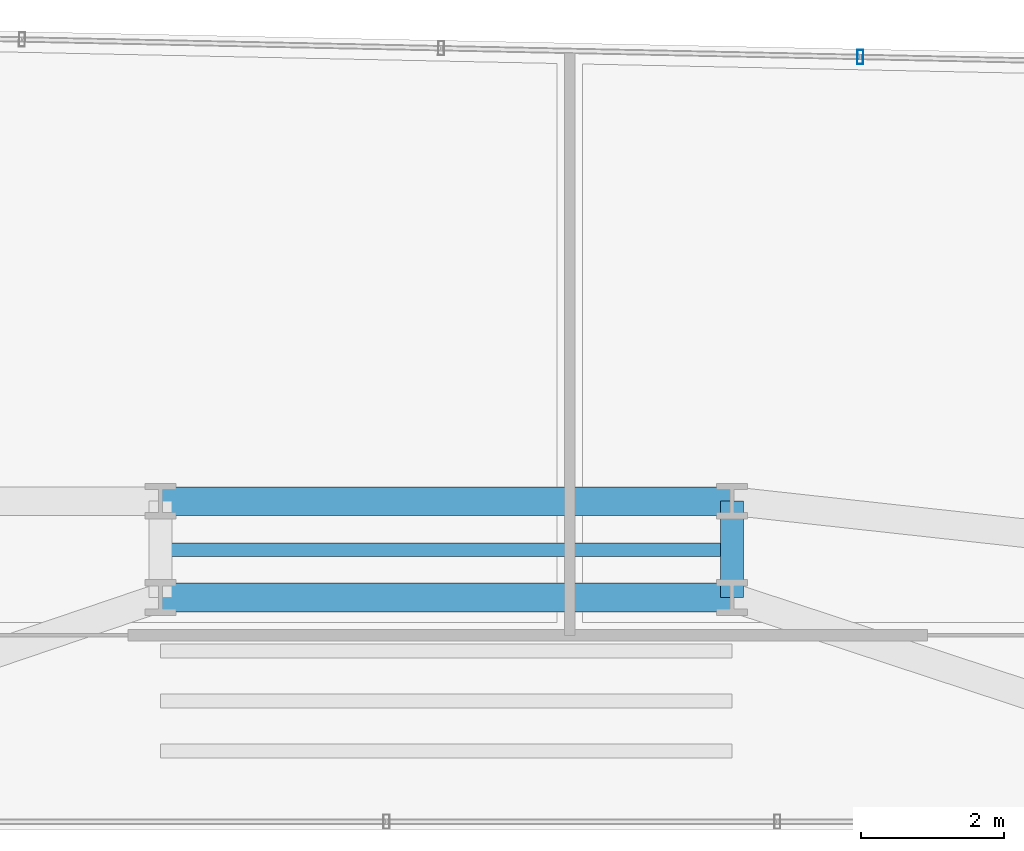
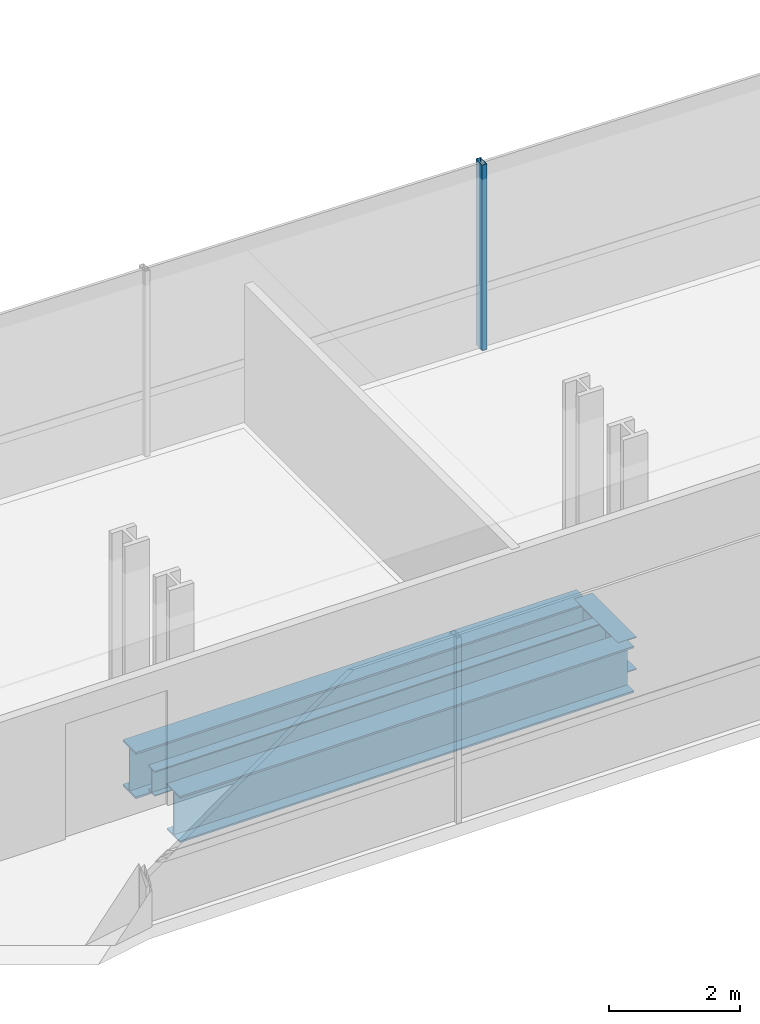
# One storey, part 22 of 40: 4 beams, 1 member, 1 element without a shape of its own.
"""IFC4 building model written with IfcOpenShell, lengths in metres."""

from ifc_helpers import new_model, si_unit, direction, frame, origin, origin_2d, place, context, subcontext, project, spatial, hollow_rectangle, i_section, extrude, source, transform, mapped, material, material_profile, profile_set, type_object, element, aggregate, save


model = new_model("IFC4")

# Units and contexts
model_context = context("Model", 3, precision=1e-05, world=origin(), true_north=direction((0.0, 1.0)))
body_context = subcontext(model_context, "Body", "Model", "MODEL_VIEW")
ifc_project = project(units=[si_unit("LENGTHUNIT", "METRE"), si_unit("AREAUNIT", "SQUARE_METRE"), si_unit("VOLUMEUNIT", "CUBIC_METRE"), si_unit("PLANEANGLEUNIT", "RADIAN"), si_unit("MASSUNIT", "GRAM", prefix="KILO")], contexts=[model_context])

# Site, building, storey
site_placement = place(None, origin())
site = spatial("IfcSite", under=ifc_project, at=site_placement, CompositionType="ELEMENT")
building_placement = place(site_placement, origin())
building = spatial("IfcBuilding", under=site, at=building_placement, Name="Valdorenza Pilgrim Sanctuary Tower", CompositionType="ELEMENT")
storey_placement = place(building_placement, frame((0.0, 0.0, 48.199951171875)))
storey = spatial("IfcBuildingStorey", under=building, at=storey_placement, Name="L11", CompositionType="ELEMENT", Elevation=48.199951171875)

# Beams
ifc_material_1 = material(Name="Steel ASTM A992 Grade 50", Category="steel")
ifc_material_profile_1 = material_profile(ifc_material_1, i_section(OverallWidth=0.39990234375, OverallDepth=0.862060546875, WebThickness=0.019775390625, FlangeThickness=0.032470703125, at=origin_2d()), Name="W33X221")
ifc_profile_set_1 = profile_set([ifc_material_profile_1], Name="Steel ASTM A992 Grade 50")
beam_type_1 = type_object("IfcBeamType", Name="STR-BM-GRD-W33", PredefinedType="BEAM", material=ifc_profile_set_1)
shared_shape_1 = source(origin(), body_context, "Body", "SweptSolid", [
    extrude(i_section(OverallWidth=0.39990234375, OverallDepth=0.862060546875, WebThickness=0.019775390625, FlangeThickness=0.032470703125, at=origin_2d()), origin(), (0.0, 0.0, 1.0), 8.0),
])
for number, where, z_axis, x_axis, name in (
    (1, (-4.0, 13.449951171875, -0.6708984375), (1.0, 0.0, 0.0), (0.0, 1.0, 0.0), "L11 Floor Girder KNK-G2"),
    (2, (-4.0, 14.800048828125, -0.6708984375), (1.0, 0.0, 0.0), (0.0, 1.0, 0.0), "L11 Floor Girder KNK-G5"),
):
    element("IfcBeam", number, at=place(storey_placement, frame(where, z_axis=z_axis, x_axis=x_axis)), inside=storey, type_object=beam_type_1, Name=name, PredefinedType="BEAM", context=body_context, shape_type="MappedRepresentation", body=[
        mapped(shared_shape_1, transform((0.0, 0.0, 0.0), x_axis=(1.0, 0.0, 0.0), y_axis=(0.0, 1.0, 0.0), z_axis=(0.0, 0.0, 1.0), scale=1.0)),
    ])
ifc_material_profile_2 = material_profile(ifc_material_1, i_section(OverallWidth=0.323974609375, OverallDepth=0.611083984375, WebThickness=0.0126953125, FlangeThickness=0.01904296875, at=origin_2d()), Name="W24X104")
ifc_profile_set_2 = profile_set([ifc_material_profile_2], Name="Steel ASTM A992 Grade 50")
beam_type_2 = type_object("IfcBeamType", Name="STR-BM-GRD-W24B", PredefinedType="BEAM", material=ifc_profile_set_2)
shared_shape_2 = source(origin(), body_context, "Body", "SweptSolid", [
    extrude(i_section(OverallWidth=0.323974609375, OverallDepth=0.611083984375, WebThickness=0.0126953125, FlangeThickness=0.01904296875, at=origin_2d()), origin(), (0.0, 0.0, 1.0), 1.35009765625),
])
beam_1_placement = place(storey_placement, frame((4.0, 13.449951171875, -0.54541015625), z_axis=(0.0, 1.0, 0.0), x_axis=(-1.0, 0.0, 0.0)))
element("IfcBeam", 3, at=beam_1_placement, inside=storey, type_object=beam_type_2, Name="L11 Floor Girder KNK-TIE-E", PredefinedType="BEAM", context=body_context, shape_type="MappedRepresentation", body=[
    mapped(shared_shape_2, transform((0.0, 0.0, 0.0), x_axis=(1.0, 0.0, 0.0), y_axis=(0.0, 1.0, 0.0), z_axis=(0.0, 0.0, 1.0), scale=1.0)),
])
ifc_material_profile_3 = material_profile(ifc_material_1, i_section(OverallWidth=0.193115234375, OverallDepth=0.466064453125, WebThickness=0.011474609375, FlangeThickness=0.01904296875, at=origin_2d()), Name="W18X65")
ifc_profile_set_3 = profile_set([ifc_material_profile_3], Name="Steel ASTM A992 Grade 50")
beam_type_3 = type_object("IfcBeamType", Name="STR-BM-JST-W18A", PredefinedType="JOIST", material=ifc_profile_set_3)
shared_shape_3 = source(origin(), body_context, "Body", "SweptSolid", [
    extrude(i_section(OverallWidth=0.193115234375, OverallDepth=0.466064453125, WebThickness=0.011474609375, FlangeThickness=0.01904296875, at=origin_2d()), origin(), (0.0, 0.0, 1.0), 8.0),
])
beam_2_placement = place(storey_placement, frame((-4.0, 14.1201171875, -0.472900390625), z_axis=(1.0, 0.0, 0.0), x_axis=(0.0, 1.0, 0.0)))
element("IfcBeam", 4, at=beam_2_placement, inside=storey, type_object=beam_type_3, Name="L11 Knuckle Composite Joist JST-KNK-4", PredefinedType="JOIST", context=body_context, shape_type="MappedRepresentation", body=[
    mapped(shared_shape_3, transform((0.0, 0.0, 0.0), x_axis=(1.0, 0.0, 0.0), y_axis=(0.0, 1.0, 0.0), z_axis=(0.0, 0.0, 1.0), scale=1.0)),
])

# Curtain wall, member
ifc_material_2 = material(Name="Curtain-wall IGU glazing", Category="glass")
curtain_wall_type = type_object("IfcCurtainWallType", Name="CW-SYS-02", PredefinedType="NOTDEFINED", material=ifc_material_2)
curtain_wall_placement = place(storey_placement, origin())
curtain_wall = element("IfcCurtainWall", 5, at=curtain_wall_placement, inside=storey, type_object=curtain_wall_type, Name="L11 Curtain Wall CW-L11-1-11", PredefinedType="NOTDEFINED")
ifc_material_3 = material(Name="Anodised aluminium AW-6060", Category="aluminium")
ifc_material_profile_4 = material_profile(ifc_material_3, hollow_rectangle(XDim=0.0849609375, YDim=0.199951171875, WallThickness=0.0048828125, at=origin_2d()), Name="ALU-M 200x85x5")
ifc_profile_set_4 = profile_set([ifc_material_profile_4], Name="Anodised aluminium AW-6060")
member_type = type_object("IfcMemberType", Name="CW-MUL-02", PredefinedType="MULLION", material=ifc_profile_set_4)
shared_shape_4 = source(origin(), body_context, "Body", "SweptSolid", [
    extrude(hollow_rectangle(XDim=0.0849609375, YDim=0.199951171875, WallThickness=0.0048828125, at=origin_2d()), origin(), (0.0, 0.0, 1.0), 3.4599609375),
])
member_placement = place(storey_placement, frame((5.797119140625, 21.019287109375, 0.0), z_axis=(0.0, 0.0, 1.0), x_axis=(0.999783234613, -0.020820273474, 0.0)))
member = element("IfcMember", 6, at=member_placement, type_object=member_type, Name="CW-L11-1-11 Mullion 4", PredefinedType="MULLION", context=body_context, shape_type="MappedRepresentation", body=[
    mapped(shared_shape_4, transform((0.0, 0.0, 0.0), x_axis=(1.0, 0.0, 0.0), y_axis=(0.0, 1.0, 0.0), z_axis=(0.0, 0.0, 1.0), scale=1.0)),
])
aggregate(curtain_wall, [member])

save(model, "model.ifc")
